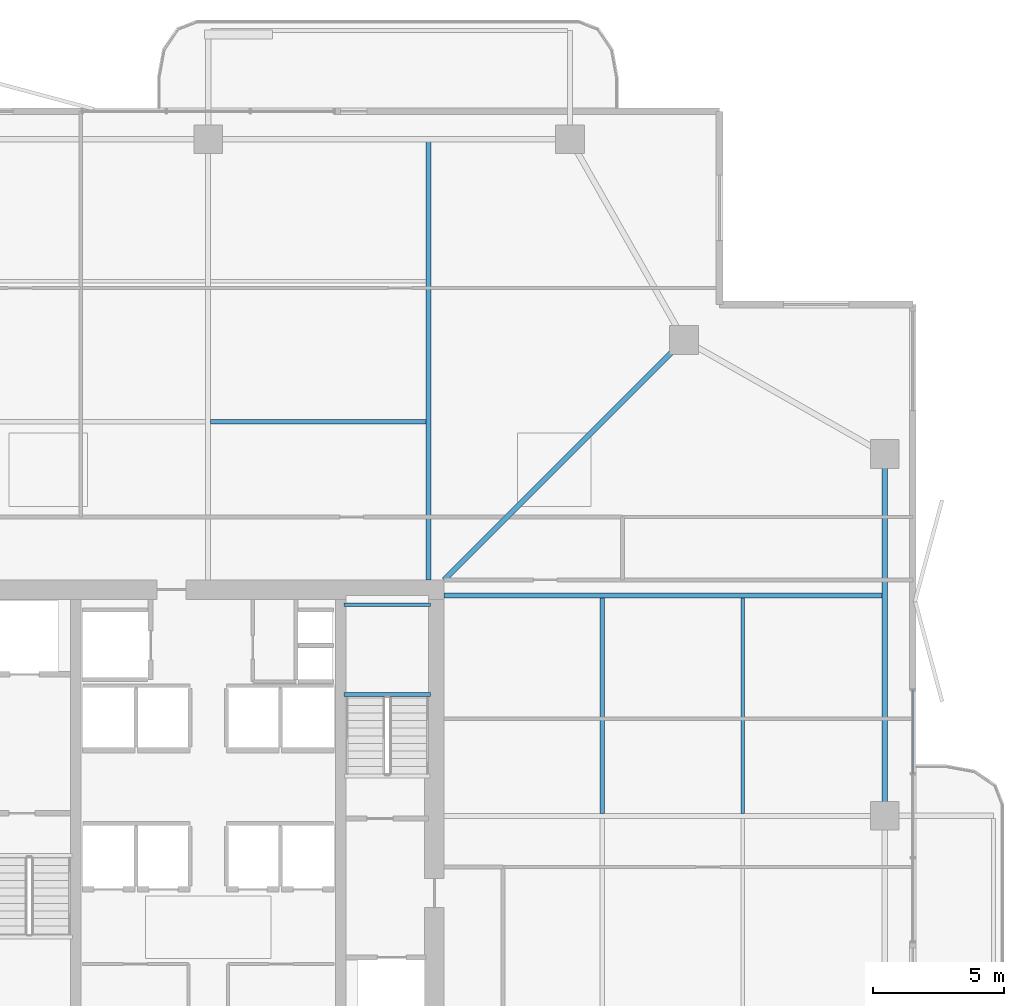
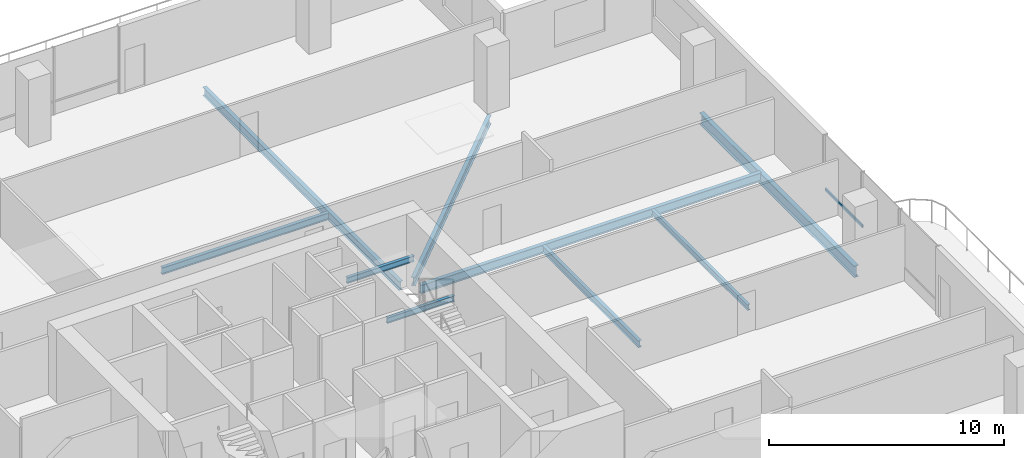
# One storey, part 12 of 24: 9 beams, 1 member, 1 element without a shape of its own.
"""IFC4 building model written with IfcOpenShell, lengths in metres."""

from ifc_helpers import new_model, si_unit, direction, frame, origin, origin_2d, place, context, subcontext, project, spatial, hollow_rectangle, i_section, extrude, material, layer, layer_set, material_profile, profile_set, type_object, element, aggregate, save


model = new_model("IFC4")

# Units and contexts
model_context = context("Model", 3, precision=1e-05, world=origin(), true_north=direction((0.0, 1.0)))
body_context = subcontext(model_context, "Body", "Model", "MODEL_VIEW")
ifc_project = project(units=[si_unit("LENGTHUNIT", "METRE"), si_unit("AREAUNIT", "SQUARE_METRE"), si_unit("VOLUMEUNIT", "CUBIC_METRE"), si_unit("PLANEANGLEUNIT", "RADIAN"), si_unit("MASSUNIT", "GRAM", prefix="KILO")], contexts=[model_context])

# Site, building, storey
site_placement = place(None, origin())
site = spatial("IfcSite", under=ifc_project, at=site_placement, CompositionType="ELEMENT")
building_placement = place(site_placement, origin())
building = spatial("IfcBuilding", under=site, at=building_placement, Name="Belovzor Exchange Tower", CompositionType="ELEMENT")
storey_placement = place(building_placement, frame((0.0, 0.0, 207.449951171875)))
storey = spatial("IfcBuildingStorey", under=building, at=storey_placement, Name="L51", CompositionType="ELEMENT", Elevation=207.449951171875)

# Beams
ifc_material_1 = material(Name="Steel S355", Category="steel")
ifc_material_profile_1 = material_profile(ifc_material_1, i_section(OverallWidth=0.169921875, OverallDepth=0.360107421875, WebThickness=0.008056640625, FlangeThickness=0.0126953125, at=origin_2d()))
ifc_profile_set_1 = profile_set([ifc_material_profile_1], Name="Steel S355")
beam_type_1 = type_object("IfcBeamType", Name="Secondary Infill Floor Joist IPE 360", PredefinedType="BEAM", material=ifc_profile_set_1)
for number, where, z_axis, x_axis, name in (
    (1, (28.89501953125, 43.827880859375, -0.429931640625), (1.0, 0.0, 0.0), (0.0, 1.0, 0.0), "FJ-360 Secondary Infill Floor Joist IPE 360"),
    (2, (43.827880859375, 28.89501953125, -0.429931640625), (0.0, 1.0, 0.0), (-1.0, 0.0, 0.0), "FJ-360 Secondary Infill Floor Joist IPE 360"),
):
    element("IfcBeam", number, at=place(storey_placement, frame(where, z_axis=z_axis, x_axis=x_axis)), inside=storey, type_object=beam_type_1, Name=name, PredefinedType="BEAM", context=body_context, shape_type="SweptSolid", body=[
        extrude(i_section(OverallWidth=0.169921875, OverallDepth=0.360107421875, WebThickness=0.008056640625, FlangeThickness=0.0126953125, at=origin_2d()), origin(), (0.0, 0.0, 1.0), 8.2099609375),
    ])
ifc_material_2 = material(Name="Steel S355", Category="steel")
ifc_material_profile_2 = material_profile(ifc_material_2, i_section(OverallWidth=0.14990234375, OverallDepth=0.300048828125, WebThickness=0.007080078125, FlangeThickness=0.0107421875, at=origin_2d()))
ifc_profile_set_2 = profile_set([ifc_material_profile_2], Name="Steel S355")
beam_type_2 = type_object("IfcBeamType", Name="Secondary Trim Floor Joist IPE 300", PredefinedType="BEAM", material=ifc_profile_set_2)
for number, where, z_axis, x_axis, name in (
    (3, (37.280029296875, 33.419921875, 1.525146484375), (-1.0, 0.0, 0.0), (0.0, -1.0, 0.0), "FJ-300 Secondary Trim Floor Joist IPE 300"),
    (4, (37.280029296875, 36.85009765625, 1.525146484375), (-1.0, 0.0, 0.0), (0.0, -1.0, 0.0), "FJ-300 Secondary Trim Floor Joist IPE 300"),
):
    element("IfcBeam", number, at=place(storey_placement, frame(where, z_axis=z_axis, x_axis=x_axis)), inside=storey, type_object=beam_type_2, Name=name, PredefinedType="BEAM", context=body_context, shape_type="SweptSolid", body=[
        extrude(i_section(OverallWidth=0.14990234375, OverallDepth=0.300048828125, WebThickness=0.007080078125, FlangeThickness=0.0107421875, at=origin_2d()), origin(), (0.0, 0.0, 1.0), 3.31005859375),
    ])
beam_1_placement = place(storey_placement, frame((49.18701171875, 28.89501953125, -0.39990234375), z_axis=(0.0, 1.0, 0.0), x_axis=(-1.0, 0.0, 0.0)))
element("IfcBeam", 5, at=beam_1_placement, inside=storey, type_object=beam_type_2, Name="FJ-300 Secondary Trim Floor Joist IPE 300", PredefinedType="BEAM", context=body_context, shape_type="SweptSolid", body=[
    extrude(i_section(OverallWidth=0.14990234375, OverallDepth=0.300048828125, WebThickness=0.007080078125, FlangeThickness=0.0107421875, at=origin_2d()), origin(), (0.0, 0.0, 1.0), 8.2099609375),
])

# Curtain wall, member
ifc_material_3 = material(Name="Anodised Aluminium Framing", Category="aluminium")
ifc_layer = layer(ifc_material_3, 0.179931640625)
ifc_layer_set = layer_set([ifc_layer], Name="Anodised Aluminium Framing")
curtain_wall_type = type_object("IfcCurtainWallType", Name="Recessed Loggia Low-Iron Triple-Glazed Curtain Wall", PredefinedType="NOTDEFINED", material=ifc_layer_set)
curtain_wall_placement = place(storey_placement, origin())
curtain_wall = element("IfcCurtainWall", 6, at=curtain_wall_placement, inside=storey, type_object=curtain_wall_type, Name="CW3 Recessed Loggia Low-Iron Triple-Glazed Curtain Wall L51", PredefinedType="NOTDEFINED")
ifc_material_4 = material(Name="Steel S355", Category="steel")
ifc_material_profile_3 = material_profile(ifc_material_4, hollow_rectangle(XDim=0.06005859375, YDim=0.14990234375, WallThickness=0.00390625, at=origin_2d()))
ifc_profile_set_3 = profile_set([ifc_material_profile_3], Name="Steel S355")
member_type = type_object("IfcMemberType", Name="Thermally Broken Curtain Wall Transom 150x60", PredefinedType="USERDEFINED", material=ifc_profile_set_3)
member_placement = place(storey_placement, frame((55.669921875, 33.592041015625, 0.630126953125), z_axis=(0.0, -1.0, 0.0), x_axis=(1.0, 0.0, 0.0)))
member = element("IfcMember", 7, at=member_placement, type_object=member_type, Name="CW-T150 Curtain Wall Transom 1", ObjectType="TRANSOM", PredefinedType="USERDEFINED", context=body_context, shape_type="SweptSolid", body=[
    extrude(hollow_rectangle(XDim=0.06005859375, YDim=0.14990234375, WallThickness=0.00390625, at=origin_2d()), origin(), (0.0, 0.0, 1.0), 3.18408203125),
])
aggregate(curtain_wall, [member])

# Beams
ifc_material_5 = material(Name="Steel S355", Category="steel")
ifc_material_profile_4 = material_profile(ifc_material_5, i_section(OverallWidth=0.18994140625, OverallDepth=0.449951171875, WebThickness=0.009521484375, FlangeThickness=0.0146484375, at=origin_2d()))
ifc_profile_set_4 = profile_set([ifc_material_profile_4], Name="Steel S355")
beam_type_3 = type_object("IfcBeamType", Name="Zone 2-4 Radial Composite Floor Beam IPE 450", PredefinedType="BEAM", material=ifc_profile_set_4)
for number, where, z_axis, x_axis, name in (
    (8, (37.199951171875, 37.800048828125, -0.474853515625), (0.0, 1.0, 0.0), (-1.0, 0.0, 0.0), "FB-450 Zone 2-4 Radial Composite Floor Beam IPE 450"),
    (9, (37.800048828125, 37.199951171875, -0.474853515625), (1.0, 0.0, 0.0), (0.0, 1.0, 0.0), "FB-450 Zone 2-4 Radial Composite Floor Beam IPE 450"),
):
    element("IfcBeam", number, at=place(storey_placement, frame(where, z_axis=z_axis, x_axis=x_axis)), inside=storey, type_object=beam_type_3, Name=name, PredefinedType="BEAM", context=body_context, shape_type="SweptSolid", body=[
        extrude(i_section(OverallWidth=0.18994140625, OverallDepth=0.449951171875, WebThickness=0.009521484375, FlangeThickness=0.0146484375, at=origin_2d()), origin(), (0.0, 0.0, 1.0), 16.744873046875),
    ])
beam_2_placement = place(storey_placement, frame((37.800048828125, 37.800048828125, -0.474853515625), z_axis=(0.707106781187, 0.707106781187, 0.0), x_axis=(-0.707106781187, 0.707106781187, 0.0)))
element("IfcBeam", 10, at=beam_2_placement, inside=storey, type_object=beam_type_3, Name="FB-450 Zone 2-4 Radial Composite Floor Beam IPE 450", PredefinedType="BEAM", context=body_context, shape_type="SweptSolid", body=[
    extrude(i_section(OverallWidth=0.18994140625, OverallDepth=0.449951171875, WebThickness=0.009521484375, FlangeThickness=0.0146484375, at=origin_2d()), origin(), (0.0, 0.0, 1.0), 12.551025390625),
])
ifc_material_6 = material(Name="Steel S355", Category="steel")
ifc_material_profile_5 = material_profile(ifc_material_6, i_section(OverallWidth=0.219970703125, OverallDepth=0.60009765625, WebThickness=0.011962890625, FlangeThickness=0.01904296875, at=origin_2d()))
ifc_profile_set_5 = profile_set([ifc_material_profile_5], Name="Steel S355")
beam_type_4 = type_object("IfcBeamType", Name="Zone 4 Flare Primary Girder IPE 600", PredefinedType="BEAM", material=ifc_profile_set_5)
beam_3_placement = place(storey_placement, frame((54.60009765625, 29.10205078125, -0.550048828125), z_axis=(0.0, 1.0, 0.0), x_axis=(-1.0, 0.0, 0.0)))
element("IfcBeam", 11, at=beam_3_placement, inside=storey, type_object=beam_type_4, Name="FG-Z4 Zone 4 Flare Primary Girder IPE 600", PredefinedType="BEAM", context=body_context, shape_type="SweptSolid", body=[
    extrude(i_section(OverallWidth=0.219970703125, OverallDepth=0.60009765625, WebThickness=0.011962890625, FlangeThickness=0.01904296875, at=origin_2d()), origin(), (0.0, 0.0, 1.0), 13.195068359375),
])

save(model, "model.ifc")
